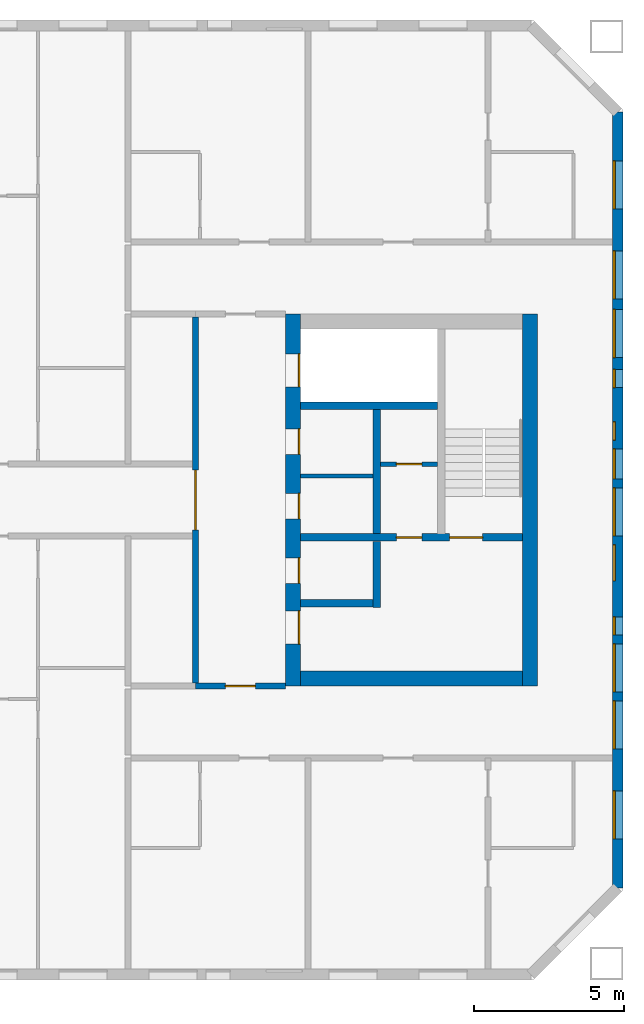
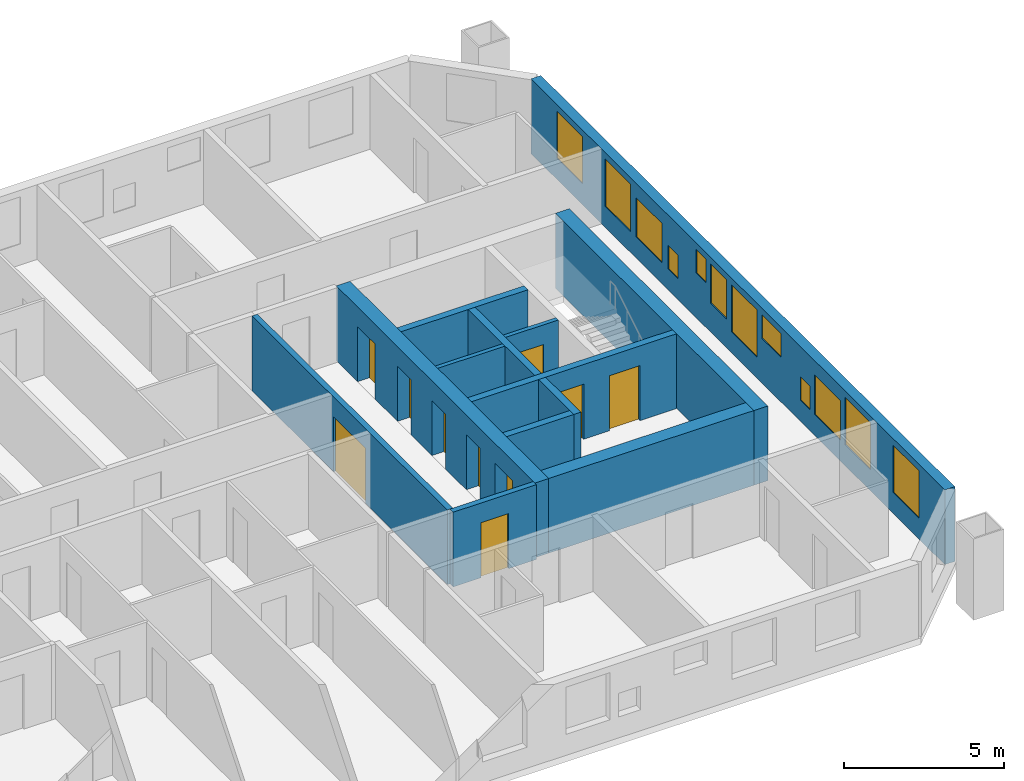
# One storey, part 13 of 16: 13 walls, 12 windows, 10 doors, 22 openings.
"""IFC4 building model written with IfcOpenShell, lengths in metres."""

from ifc_helpers import new_model, si_unit, direction, frame, frame_2d, origin, place, context, subcontext, project, spatial, rectangle, extrude, material, layer, layer_set, type_object, element, fill, save


model = new_model("IFC4")

# Units and contexts
model_context = context("Model", 3, precision=1e-05, world=origin(), true_north=direction((0.0, 1.0)))
body_context = subcontext(model_context, "Body", "Model", "MODEL_VIEW")
ifc_project = project(units=[si_unit("LENGTHUNIT", "METRE"), si_unit("AREAUNIT", "SQUARE_METRE"), si_unit("VOLUMEUNIT", "CUBIC_METRE"), si_unit("PLANEANGLEUNIT", "RADIAN"), si_unit("MASSUNIT", "GRAM", prefix="KILO")], contexts=[model_context])

# Site, building, storey
site_placement = place(None, origin())
site = spatial("IfcSite", under=ifc_project, at=site_placement, CompositionType="ELEMENT")
building_placement = place(site_placement, origin())
building = spatial("IfcBuilding", under=site, at=building_placement, Name="Tuart Gate Housing", CompositionType="ELEMENT")
storey_placement = place(building_placement, frame((0.0, 0.0, 157.800048828125)))
storey = spatial("IfcBuildingStorey", under=building, at=storey_placement, Name="L44", CompositionType="ELEMENT", Elevation=157.800048828125)

# Wall, openings, windows
ifc_material_1 = material(Name="Brick", Category="masonry")
ifc_layer_1 = layer(ifc_material_1, 0.360107421875)
ifc_layer_set_1 = layer_set([ifc_layer_1], Name="Brick pier and spandrel wall 360")
wall_type_1 = type_object("IfcWallType", Name="Brick pier and spandrel wall 360", PredefinedType="STANDARD", material=ifc_layer_set_1)
wall_1_placement = place(storey_placement, frame((171.320068359375, 57.07470703125, 0.0), z_axis=(0.0, 0.0, 1.0), x_axis=(0.0, 1.0, 0.0)))
wall_1 = element("IfcWall", 1, at=wall_1_placement, inside=storey, type_object=wall_type_1, Name="External wall B-E L44", PredefinedType="STANDARD", context=body_context, shape_type="SweptSolid", body=[
    extrude(rectangle(XDim=25.850830078125, YDim=0.360107421875, at=frame_2d((12.92529296875, 0.0))), origin(), (0.0, 0.0, 1.0), 2.849853515625),
])
opening_1_placement = place(wall_1_placement, frame((1.62548828125, 0.0, 0.800048828125)))
opening_1 = element("IfcOpeningElement", 2, at=opening_1_placement, cuts=wall_1, Name="Opening W1", PredefinedType="OPENING", context=body_context, shape_type="SweptSolid", body=[
    extrude(rectangle(XDim=1.60009765625, YDim=1.800048828125, at=frame_2d((0.800048828125, 0.89990234375))), frame((0.0, 0.18994140625, 0.0), z_axis=(0.0, -1.0, 0.0), x_axis=(1.0, 0.0, 0.0)), (0.0, 0.0, 1.0), 0.380126953125),
])
opening_2_placement = place(wall_1_placement, frame((4.62548828125, 0.0, 0.800048828125)))
opening_2 = element("IfcOpeningElement", 3, at=opening_2_placement, cuts=wall_1, Name="Opening W1", PredefinedType="OPENING", context=body_context, shape_type="SweptSolid", body=[
    extrude(rectangle(XDim=1.60009765625, YDim=1.800048828125, at=frame_2d((0.800048828125, 0.89990234375))), frame((0.0, 0.18994140625, 0.0), z_axis=(0.0, -1.0, 0.0), x_axis=(1.0, 0.0, 0.0)), (0.0, 0.0, 1.0), 0.380126953125),
])
opening_3_placement = place(wall_1_placement, frame((6.525390625, 0.0, 0.800048828125)))
opening_3 = element("IfcOpeningElement", 4, at=opening_3_placement, cuts=wall_1, Name="Opening W1F", PredefinedType="OPENING", context=body_context, shape_type="SweptSolid", body=[
    extrude(rectangle(XDim=1.60009765625, YDim=1.5, at=frame_2d((0.800048828125, 0.75))), frame((0.0, 0.18994140625, 0.0), z_axis=(0.0, -1.0, 0.0), x_axis=(1.0, 0.0, 0.0)), (0.0, 0.0, 1.0), 0.380126953125),
])
opening_4_placement = place(wall_1_placement, frame((8.42529296875, 0.0, 0.800048828125)))
opening_4 = element("IfcOpeningElement", 5, at=opening_4_placement, cuts=wall_1, Name="Opening W1W", PredefinedType="OPENING", context=body_context, shape_type="SweptSolid", body=[
    extrude(rectangle(XDim=0.60009765625, YDim=0.89990234375, at=frame_2d((0.300048828125, 0.449951171875))), frame((0.0, 0.18994140625, 0.0), z_axis=(0.0, -1.0, 0.0), x_axis=(1.0, 0.0, 0.0)), (0.0, 0.0, 1.0), 0.380126953125),
])
opening_5_placement = place(wall_1_placement, frame((10.225341796875, 0.0, 1.699951171875)))
opening_5 = element("IfcOpeningElement", 6, at=opening_5_placement, cuts=wall_1, Name="Opening W1T", PredefinedType="OPENING", context=body_context, shape_type="SweptSolid", body=[
    extrude(rectangle(XDim=1.199951171875, YDim=0.89990234375, at=frame_2d((0.60009765625, 0.449951171875))), frame((0.0, 0.18994140625, 0.0), z_axis=(0.0, -1.0, 0.0), x_axis=(1.0, 0.0, 0.0)), (0.0, 0.0, 1.0), 0.380126953125),
])
opening_6_placement = place(wall_1_placement, frame((11.725341796875, 0.0, 0.800048828125)))
opening_6 = element("IfcOpeningElement", 7, at=opening_6_placement, cuts=wall_1, Name="Opening W1", PredefinedType="OPENING", context=body_context, shape_type="SweptSolid", body=[
    extrude(rectangle(XDim=1.60009765625, YDim=1.800048828125, at=frame_2d((0.800048828125, 0.89990234375))), frame((0.0, 0.18994140625, 0.0), z_axis=(0.0, -1.0, 0.0), x_axis=(1.0, 0.0, 0.0)), (0.0, 0.0, 1.0), 0.380126953125),
])
opening_7_placement = place(wall_1_placement, frame((19.62548828125, 0.0, 0.800048828125)))
opening_7 = element("IfcOpeningElement", 8, at=opening_7_placement, cuts=wall_1, Name="Opening W1", PredefinedType="OPENING", context=body_context, shape_type="SweptSolid", body=[
    extrude(rectangle(XDim=1.60009765625, YDim=1.800048828125, at=frame_2d((0.800048828125, 0.89990234375))), frame((0.0, 0.18994140625, 0.0), z_axis=(0.0, -1.0, 0.0), x_axis=(1.0, 0.0, 0.0)), (0.0, 0.0, 1.0), 0.380126953125),
])
opening_8_placement = place(wall_1_placement, frame((22.62548828125, 0.0, 0.800048828125)))
opening_8 = element("IfcOpeningElement", 9, at=opening_8_placement, cuts=wall_1, Name="Opening W1", PredefinedType="OPENING", context=body_context, shape_type="SweptSolid", body=[
    extrude(rectangle(XDim=1.60009765625, YDim=1.800048828125, at=frame_2d((0.800048828125, 0.89990234375))), frame((0.0, 0.18994140625, 0.0), z_axis=(0.0, -1.0, 0.0), x_axis=(1.0, 0.0, 0.0)), (0.0, 0.0, 1.0), 0.380126953125),
])
opening_9_placement = place(wall_1_placement, frame((13.62548828125, 0.0, 1.10009765625)))
opening_9 = element("IfcOpeningElement", 10, at=opening_9_placement, cuts=wall_1, Name="Opening W1I", PredefinedType="OPENING", context=body_context, shape_type="SweptSolid", body=[
    extrude(rectangle(XDim=1.0, YDim=1.5, at=frame_2d((0.5, 0.75))), frame((0.0, 0.18994140625, 0.0), z_axis=(0.0, -1.0, 0.0), x_axis=(1.0, 0.0, 0.0)), (0.0, 0.0, 1.0), 0.380126953125),
])
opening_10_placement = place(wall_1_placement, frame((14.92529296875, 0.0, 1.699951171875)))
opening_10 = element("IfcOpeningElement", 11, at=opening_10_placement, cuts=wall_1, Name="Opening W1W", PredefinedType="OPENING", context=body_context, shape_type="SweptSolid", body=[
    extrude(rectangle(XDim=0.60009765625, YDim=0.89990234375, at=frame_2d((0.300048828125, 0.449951171875))), frame((0.0, 0.18994140625, 0.0), z_axis=(0.0, -1.0, 0.0), x_axis=(1.0, 0.0, 0.0)), (0.0, 0.0, 1.0), 0.380126953125),
])
opening_11_placement = place(wall_1_placement, frame((16.67529296875, 0.0, 0.800048828125)))
opening_11 = element("IfcOpeningElement", 12, at=opening_11_placement, cuts=wall_1, Name="Opening W1W", PredefinedType="OPENING", context=body_context, shape_type="SweptSolid", body=[
    extrude(rectangle(XDim=0.60009765625, YDim=0.89990234375, at=frame_2d((0.300048828125, 0.449951171875))), frame((0.0, 0.18994140625, 0.0), z_axis=(0.0, -1.0, 0.0), x_axis=(1.0, 0.0, 0.0)), (0.0, 0.0, 1.0), 0.380126953125),
])
opening_12_placement = place(wall_1_placement, frame((17.67529296875, 0.0, 0.800048828125)))
opening_12 = element("IfcOpeningElement", 13, at=opening_12_placement, cuts=wall_1, Name="Opening W1F", PredefinedType="OPENING", context=body_context, shape_type="SweptSolid", body=[
    extrude(rectangle(XDim=1.60009765625, YDim=1.5, at=frame_2d((0.800048828125, 0.75))), frame((0.0, 0.18994140625, 0.0), z_axis=(0.0, -1.0, 0.0), x_axis=(1.0, 0.0, 0.0)), (0.0, 0.0, 1.0), 0.380126953125),
])
ifc_material_2 = material(Name="Aluminium frame with clear glass", Category="aluminium")
window_type_1 = type_object("IfcWindowType", Name="Punched window 1000 x 1500", PartitioningType="SINGLE_PANEL", PredefinedType="WINDOW", material=ifc_material_2)
window_1_placement = place(opening_9_placement, origin())
window_1 = element("IfcWindow", 14, at=window_1_placement, inside=storey, type_object=window_type_1, Name="Window W1I", OverallHeight=1.5, OverallWidth=1.0, PartitioningType="SINGLE_PANEL", PredefinedType="WINDOW", context=body_context, shape_type="SweptSolid", body=[
    extrude(rectangle(XDim=1.0, YDim=1.5, at=frame_2d((0.5, 0.75))), frame((0.0, 0.150146484375, 0.0), z_axis=(0.0, -1.0, 0.0), x_axis=(1.0, 0.0, 0.0)), (0.0, 0.0, 1.0), 0.06005859375),
])
fill(opening_9, window_1)
ifc_material_3 = material(Name="Aluminium frame with clear glass", Category="aluminium")
window_type_2 = type_object("IfcWindowType", Name="Punched window 1200 x 900", PartitioningType="SINGLE_PANEL", PredefinedType="WINDOW", material=ifc_material_3)
window_2_placement = place(opening_5_placement, origin())
window_2 = element("IfcWindow", 15, at=window_2_placement, inside=storey, type_object=window_type_2, Name="Window W1T", OverallHeight=0.89990234375, OverallWidth=1.199951171875, PartitioningType="SINGLE_PANEL", PredefinedType="WINDOW", context=body_context, shape_type="SweptSolid", body=[
    extrude(rectangle(XDim=1.199951171875, YDim=0.89990234375, at=frame_2d((0.60009765625, 0.449951171875))), frame((0.0, 0.150146484375, 0.0), z_axis=(0.0, -1.0, 0.0), x_axis=(1.0, 0.0, 0.0)), (0.0, 0.0, 1.0), 0.06005859375),
])
fill(opening_5, window_2)
ifc_material_4 = material(Name="Aluminium frame with clear glass", Category="aluminium")
window_type_3 = type_object("IfcWindowType", Name="Punched window 1600 x 1500", PartitioningType="SINGLE_PANEL", PredefinedType="WINDOW", material=ifc_material_4)
window_3_placement = place(opening_3_placement, origin())
window_3 = element("IfcWindow", 16, at=window_3_placement, inside=storey, type_object=window_type_3, Name="Window W1F", OverallHeight=1.5, OverallWidth=1.60009765625, PartitioningType="SINGLE_PANEL", PredefinedType="WINDOW", context=body_context, shape_type="SweptSolid", body=[
    extrude(rectangle(XDim=1.60009765625, YDim=1.5, at=frame_2d((0.800048828125, 0.75))), frame((0.0, 0.150146484375, 0.0), z_axis=(0.0, -1.0, 0.0), x_axis=(1.0, 0.0, 0.0)), (0.0, 0.0, 1.0), 0.06005859375),
])
fill(opening_3, window_3)
window_4_placement = place(opening_12_placement, origin())
window_4 = element("IfcWindow", 17, at=window_4_placement, inside=storey, type_object=window_type_3, Name="Window W1F", OverallHeight=1.5, OverallWidth=1.60009765625, PartitioningType="SINGLE_PANEL", PredefinedType="WINDOW", context=body_context, shape_type="SweptSolid", body=[
    extrude(rectangle(XDim=1.60009765625, YDim=1.5, at=frame_2d((0.800048828125, 0.75))), frame((0.0, 0.150146484375, 0.0), z_axis=(0.0, -1.0, 0.0), x_axis=(1.0, 0.0, 0.0)), (0.0, 0.0, 1.0), 0.06005859375),
])
fill(opening_12, window_4)
ifc_material_5 = material(Name="Aluminium frame with clear glass", Category="aluminium")
window_type_4 = type_object("IfcWindowType", Name="Punched window 1600 x 1800", PartitioningType="SINGLE_PANEL", PredefinedType="WINDOW", material=ifc_material_5)
window_5_placement = place(opening_1_placement, origin())
window_5 = element("IfcWindow", 18, at=window_5_placement, inside=storey, type_object=window_type_4, Name="Window W1", OverallHeight=1.800048828125, OverallWidth=1.60009765625, PartitioningType="SINGLE_PANEL", PredefinedType="WINDOW", context=body_context, shape_type="SweptSolid", body=[
    extrude(rectangle(XDim=1.60009765625, YDim=1.800048828125, at=frame_2d((0.800048828125, 0.89990234375))), frame((0.0, 0.150146484375, 0.0), z_axis=(0.0, -1.0, 0.0), x_axis=(1.0, 0.0, 0.0)), (0.0, 0.0, 1.0), 0.06005859375),
])
fill(opening_1, window_5)
window_6_placement = place(opening_2_placement, origin())
window_6 = element("IfcWindow", 19, at=window_6_placement, inside=storey, type_object=window_type_4, Name="Window W1", OverallHeight=1.800048828125, OverallWidth=1.60009765625, PartitioningType="SINGLE_PANEL", PredefinedType="WINDOW", context=body_context, shape_type="SweptSolid", body=[
    extrude(rectangle(XDim=1.60009765625, YDim=1.800048828125, at=frame_2d((0.800048828125, 0.89990234375))), frame((0.0, 0.150146484375, 0.0), z_axis=(0.0, -1.0, 0.0), x_axis=(1.0, 0.0, 0.0)), (0.0, 0.0, 1.0), 0.06005859375),
])
fill(opening_2, window_6)
window_7_placement = place(opening_6_placement, origin())
window_7 = element("IfcWindow", 20, at=window_7_placement, inside=storey, type_object=window_type_4, Name="Window W1", OverallHeight=1.800048828125, OverallWidth=1.60009765625, PartitioningType="SINGLE_PANEL", PredefinedType="WINDOW", context=body_context, shape_type="SweptSolid", body=[
    extrude(rectangle(XDim=1.60009765625, YDim=1.800048828125, at=frame_2d((0.800048828125, 0.89990234375))), frame((0.0, 0.150146484375, 0.0), z_axis=(0.0, -1.0, 0.0), x_axis=(1.0, 0.0, 0.0)), (0.0, 0.0, 1.0), 0.06005859375),
])
fill(opening_6, window_7)
window_8_placement = place(opening_7_placement, origin())
window_8 = element("IfcWindow", 21, at=window_8_placement, inside=storey, type_object=window_type_4, Name="Window W1", OverallHeight=1.800048828125, OverallWidth=1.60009765625, PartitioningType="SINGLE_PANEL", PredefinedType="WINDOW", context=body_context, shape_type="SweptSolid", body=[
    extrude(rectangle(XDim=1.60009765625, YDim=1.800048828125, at=frame_2d((0.800048828125, 0.89990234375))), frame((0.0, 0.150146484375, 0.0), z_axis=(0.0, -1.0, 0.0), x_axis=(1.0, 0.0, 0.0)), (0.0, 0.0, 1.0), 0.06005859375),
])
fill(opening_7, window_8)
window_9_placement = place(opening_8_placement, origin())
window_9 = element("IfcWindow", 22, at=window_9_placement, inside=storey, type_object=window_type_4, Name="Window W1", OverallHeight=1.800048828125, OverallWidth=1.60009765625, PartitioningType="SINGLE_PANEL", PredefinedType="WINDOW", context=body_context, shape_type="SweptSolid", body=[
    extrude(rectangle(XDim=1.60009765625, YDim=1.800048828125, at=frame_2d((0.800048828125, 0.89990234375))), frame((0.0, 0.150146484375, 0.0), z_axis=(0.0, -1.0, 0.0), x_axis=(1.0, 0.0, 0.0)), (0.0, 0.0, 1.0), 0.06005859375),
])
fill(opening_8, window_9)
ifc_material_6 = material(Name="Aluminium frame with clear glass", Category="aluminium")
window_type_5 = type_object("IfcWindowType", Name="Punched window 600 x 900", PartitioningType="SINGLE_PANEL", PredefinedType="WINDOW", material=ifc_material_6)
window_10_placement = place(opening_4_placement, origin())
window_10 = element("IfcWindow", 23, at=window_10_placement, inside=storey, type_object=window_type_5, Name="Window W1W", OverallHeight=0.89990234375, OverallWidth=0.60009765625, PartitioningType="SINGLE_PANEL", PredefinedType="WINDOW", context=body_context, shape_type="SweptSolid", body=[
    extrude(rectangle(XDim=0.60009765625, YDim=0.89990234375, at=frame_2d((0.300048828125, 0.449951171875))), frame((0.0, 0.150146484375, 0.0), z_axis=(0.0, -1.0, 0.0), x_axis=(1.0, 0.0, 0.0)), (0.0, 0.0, 1.0), 0.06005859375),
])
fill(opening_4, window_10)
window_11_placement = place(opening_10_placement, origin())
window_11 = element("IfcWindow", 24, at=window_11_placement, inside=storey, type_object=window_type_5, Name="Window W1W", OverallHeight=0.89990234375, OverallWidth=0.60009765625, PartitioningType="SINGLE_PANEL", PredefinedType="WINDOW", context=body_context, shape_type="SweptSolid", body=[
    extrude(rectangle(XDim=0.60009765625, YDim=0.89990234375, at=frame_2d((0.300048828125, 0.449951171875))), frame((0.0, 0.150146484375, 0.0), z_axis=(0.0, -1.0, 0.0), x_axis=(1.0, 0.0, 0.0)), (0.0, 0.0, 1.0), 0.06005859375),
])
fill(opening_10, window_11)
window_12_placement = place(opening_11_placement, origin())
window_12 = element("IfcWindow", 25, at=window_12_placement, inside=storey, type_object=window_type_5, Name="Window W1W", OverallHeight=0.89990234375, OverallWidth=0.60009765625, PartitioningType="SINGLE_PANEL", PredefinedType="WINDOW", context=body_context, shape_type="SweptSolid", body=[
    extrude(rectangle(XDim=0.60009765625, YDim=0.89990234375, at=frame_2d((0.300048828125, 0.449951171875))), frame((0.0, 0.150146484375, 0.0), z_axis=(0.0, -1.0, 0.0), x_axis=(1.0, 0.0, 0.0)), (0.0, 0.0, 1.0), 0.06005859375),
])
fill(opening_11, window_12)

# Wall, opening, door
ifc_material_7 = material(Name="Plasterboard partition")
ifc_layer_2 = layer(ifc_material_7, 0.14990234375)
ifc_layer_set_2 = layer_set([ifc_layer_2], Name="Core partition 150")
wall_type_2 = type_object("IfcWallType", Name="Core partition 150", PredefinedType="PARTITIONING", material=ifc_layer_set_2)
wall_2_placement = place(storey_placement, frame((163.4150390625, 71.199951171875, 0.0), z_axis=(0.0, 0.0, 1.0), x_axis=(1.0, 0.0, 0.0)))
wall_2 = element("IfcWall", 26, at=wall_2_placement, inside=storey, type_object=wall_type_2, Name="Core partition BK.2", PredefinedType="PARTITIONING", context=body_context, shape_type="SweptSolid", body=[
    extrude(rectangle(XDim=1.89990234375, YDim=0.14990234375, at=frame_2d((0.949951171875, 0.0))), origin(), (0.0, 0.0, 1.0), 2.849853515625),
])
opening_13_placement = place(wall_2_placement, frame((0.52490234375, 0.0, 0.0)))
opening_13 = element("IfcOpeningElement", 27, at=opening_13_placement, cuts=wall_2, Name="Opening D1703", PredefinedType="OPENING", context=body_context, shape_type="SweptSolid", body=[
    extrude(rectangle(XDim=0.85009765625, YDim=2.10009765625, at=frame_2d((0.425048828125, 1.050048828125))), frame((0.0, 0.0849609375, 0.0), z_axis=(0.0, -1.0, 0.0), x_axis=(1.0, 0.0, 0.0)), (0.0, 0.0, 1.0), 0.169921875),
])
ifc_material_8 = material(Name="Steel fire door", Category="steel")
door_type_1 = type_object("IfcDoorType", Name="Service door 850 x 2100 RH", OperationType="SINGLE_SWING_RIGHT", PredefinedType="DOOR", material=ifc_material_8)
door_1_placement = place(opening_13_placement, frame((0.85009765625, 0.0, 0.0), z_axis=(0.0, 0.0, 1.0), x_axis=(-1.0, 0.0, 0.0)))
door_1 = element("IfcDoor", 28, at=door_1_placement, inside=storey, type_object=door_type_1, Name="Service room door BK.W2", OperationType="SINGLE_SWING_RIGHT", OverallHeight=2.10009765625, OverallWidth=0.85009765625, PredefinedType="DOOR", context=body_context, shape_type="SweptSolid", body=[
    extrude(rectangle(XDim=0.85009765625, YDim=2.10009765625, at=frame_2d((0.425048828125, 1.050048828125))), frame((0.0, 0.025146484375, 0.0), z_axis=(0.0, -1.0, 0.0), x_axis=(1.0, 0.0, 0.0)), (0.0, 0.0, 1.0), 0.050048828125),
])
fill(opening_13, door_1)

# Walls
wall_3_placement = place(storey_placement, frame((160.739990234375, 70.800048828125, 0.0), z_axis=(0.0, 0.0, 1.0), x_axis=(1.0, 0.0, 0.0)))
element("IfcWall", 29, at=wall_3_placement, inside=storey, type_object=wall_type_2, Name="Core partition BK.3", PredefinedType="PARTITIONING", context=body_context, shape_type="SweptSolid", body=[
    extrude(rectangle(XDim=2.425048828125, YDim=0.14990234375, at=frame_2d((1.21240234375, 0.0))), origin(), (0.0, 0.0, 1.0), 2.849853515625),
])
ifc_material_9 = material(Name="Concrete C40", Category="concrete")
ifc_layer_3 = layer(ifc_material_9, 0.25)
ifc_layer_set_3 = layer_set([ifc_layer_3], Name="Core wall 250 C40")
wall_type_3 = type_object("IfcWallType", Name="Core wall 250 C40", PredefinedType="SHEAR", material=ifc_layer_set_3)
wall_4_placement = place(storey_placement, frame((160.739990234375, 73.14990234375, 0.0), z_axis=(0.0, 0.0, 1.0), x_axis=(1.0, 0.0, 0.0)))
element("IfcWall", 30, at=wall_4_placement, inside=storey, type_object=wall_type_3, Name="Core wall BK.1", PredefinedType="SHEAR", context=body_context, shape_type="SweptSolid", body=[
    extrude(rectangle(XDim=4.574951171875, YDim=0.25, at=frame_2d((2.28759765625, 0.0))), origin(), (0.0, 0.0, 1.0), 2.849853515625),
])

# Wall, openings, doors
wall_5_placement = place(storey_placement, frame((160.739990234375, 68.75, 0.0), z_axis=(0.0, 0.0, 1.0), x_axis=(1.0, 0.0, 0.0)))
wall_5 = element("IfcWall", 31, at=wall_5_placement, inside=storey, type_object=wall_type_3, Name="Core wall BK.4", PredefinedType="SHEAR", context=body_context, shape_type="SweptSolid", body=[
    extrude(rectangle(XDim=7.39990234375, YDim=0.25, at=frame_2d((3.699951171875, 0.0))), origin(), (0.0, 0.0, 1.0), 2.849853515625),
])
opening_14_placement = place(wall_5_placement, frame((4.97509765625, 0.0, 0.0)))
opening_14 = element("IfcOpeningElement", 32, at=opening_14_placement, cuts=wall_5, Name="Opening D1715", PredefinedType="OPENING", context=body_context, shape_type="SweptSolid", body=[
    extrude(rectangle(XDim=1.10009765625, YDim=2.10009765625, at=frame_2d((0.550048828125, 1.050048828125))), frame((0.0, 0.135009765625, 0.0), z_axis=(0.0, -1.0, 0.0), x_axis=(1.0, 0.0, 0.0)), (0.0, 0.0, 1.0), 0.27001953125),
])
opening_15_placement = place(wall_5_placement, frame((3.199951171875, 0.0, 0.0)))
opening_15 = element("IfcOpeningElement", 33, at=opening_15_placement, cuts=wall_5, Name="Opening D1714", PredefinedType="OPENING", context=body_context, shape_type="SweptSolid", body=[
    extrude(rectangle(XDim=0.85009765625, YDim=2.10009765625, at=frame_2d((0.425048828125, 1.050048828125))), frame((0.0, 0.135009765625, 0.0), z_axis=(0.0, -1.0, 0.0), x_axis=(1.0, 0.0, 0.0)), (0.0, 0.0, 1.0), 0.27001953125),
])
ifc_material_10 = material(Name="Steel fire door", Category="steel")
door_type_2 = type_object("IfcDoorType", Name="Riser door 850 x 2100", OperationType="SINGLE_SWING_LEFT", PredefinedType="DOOR", material=ifc_material_10)
door_2_placement = place(opening_15_placement, origin())
door_2 = element("IfcDoor", 34, at=door_2_placement, inside=storey, type_object=door_type_2, Name="Service room door BK.W1", OperationType="SINGLE_SWING_LEFT", OverallHeight=2.10009765625, OverallWidth=0.85009765625, PredefinedType="DOOR", context=body_context, shape_type="SweptSolid", body=[
    extrude(rectangle(XDim=0.85009765625, YDim=2.10009765625, at=frame_2d((0.425048828125, 1.050048828125))), frame((0.0, 0.02490234375, 0.0), z_axis=(0.0, -1.0, 0.0), x_axis=(1.0, 0.0, 0.0)), (0.0, 0.0, 1.0), 0.050048828125),
])
fill(opening_15, door_2)
ifc_material_11 = material(Name="Steel fire door", Category="steel")
door_type_3 = type_object("IfcDoorType", Name="Stair door 1100 x 2100", OperationType="SINGLE_SWING_LEFT", PredefinedType="DOOR", material=ifc_material_11)
door_3_placement = place(opening_14_placement, origin())
door_3 = element("IfcDoor", 35, at=door_3_placement, inside=storey, type_object=door_type_3, Name="Stair door BK.SD", OperationType="SINGLE_SWING_LEFT", OverallHeight=2.10009765625, OverallWidth=1.10009765625, PredefinedType="DOOR", context=body_context, shape_type="SweptSolid", body=[
    extrude(rectangle(XDim=1.10009765625, YDim=2.10009765625, at=frame_2d((0.550048828125, 1.050048828125))), frame((0.0, 0.02490234375, 0.0), z_axis=(0.0, -1.0, 0.0), x_axis=(1.0, 0.0, 0.0)), (0.0, 0.0, 1.0), 0.050048828125),
])
fill(opening_14, door_3)

# Walls
wall_6_placement = place(storey_placement, frame((160.739990234375, 66.550048828125, 0.0), z_axis=(0.0, 0.0, 1.0), x_axis=(1.0, 0.0, 0.0)))
element("IfcWall", 36, at=wall_6_placement, inside=storey, type_object=wall_type_3, Name="Core wall BK.5", PredefinedType="SHEAR", context=body_context, shape_type="SweptSolid", body=[
    extrude(rectangle(XDim=2.425048828125, YDim=0.25, at=frame_2d((1.21240234375, 0.0))), origin(), (0.0, 0.0, 1.0), 2.849853515625),
])
wall_7_placement = place(storey_placement, frame((163.2900390625, 73.02490234375, 0.0), z_axis=(0.0, 0.0, 1.0), x_axis=(0.0, -1.0, 0.0)))
element("IfcWall", 37, at=wall_7_placement, inside=storey, type_object=wall_type_3, Name="Core wall BK.6", PredefinedType="SHEAR", context=body_context, shape_type="SweptSolid", body=[
    extrude(rectangle(XDim=4.14990234375, YDim=0.25, at=frame_2d((2.074951171875, 0.0))), origin(), (0.0, 0.0, 1.0), 2.849853515625),
])
wall_8_placement = place(storey_placement, frame((163.2900390625, 68.625, 0.0), z_axis=(0.0, 0.0, 1.0), x_axis=(0.0, -1.0, 0.0)))
element("IfcWall", 38, at=wall_8_placement, inside=storey, type_object=wall_type_3, Name="Core wall BK.7", PredefinedType="SHEAR", context=body_context, shape_type="SweptSolid", body=[
    extrude(rectangle(XDim=2.199951171875, YDim=0.25, at=frame_2d((1.10009765625, 0.0))), origin(), (0.0, 0.0, 1.0), 2.849853515625),
])

# Wall, openings, doors
ifc_material_12 = material(Name="Concrete C40", Category="concrete")
ifc_layer_4 = layer(ifc_material_12, 0.5)
ifc_layer_set_4 = layer_set([ifc_layer_4], Name="Core wall 500 C40")
wall_type_4 = type_object("IfcWallType", Name="Core wall 500 C40", PredefinedType="SHEAR", material=ifc_layer_set_4)
wall_9_placement = place(storey_placement, frame((160.489990234375, 76.199951171875, 0.0), z_axis=(0.0, 0.0, 1.0), x_axis=(0.0, -1.0, 0.0)))
wall_9 = element("IfcWall", 39, at=wall_9_placement, inside=storey, type_object=wall_type_4, Name="Core wall BK front", PredefinedType="SHEAR", context=body_context, shape_type="SweptSolid", body=[
    extrude(rectangle(XDim=12.39990234375, YDim=0.5, at=frame_2d((6.199951171875, 0.0))), origin(), (0.0, 0.0, 1.0), 2.849853515625),
])
opening_16_placement = place(wall_9_placement, frame((1.324951171875, 0.0, 0.0)))
opening_16 = element("IfcOpeningElement", 40, at=opening_16_placement, cuts=wall_9, Name="Opening LD-FB2", PredefinedType="OPENING", context=body_context, shape_type="SweptSolid", body=[
    extrude(rectangle(XDim=1.10009765625, YDim=2.10009765625, at=frame_2d((0.550048828125, 1.050048828125))), frame((0.0, 0.260009765625, 0.0), z_axis=(0.0, -1.0, 0.0), x_axis=(1.0, 0.0, 0.0)), (0.0, 0.0, 1.0), 0.52001953125),
])
opening_17_placement = place(wall_9_placement, frame((3.824951171875, 0.0, 0.0)))
opening_17 = element("IfcOpeningElement", 41, at=opening_17_placement, cuts=wall_9, Name="Opening D1709", PredefinedType="OPENING", context=body_context, shape_type="SweptSolid", body=[
    extrude(rectangle(XDim=0.85009765625, YDim=2.10009765625, at=frame_2d((0.425048828125, 1.050048828125))), frame((0.0, 0.260009765625, 0.0), z_axis=(0.0, -1.0, 0.0), x_axis=(1.0, 0.0, 0.0)), (0.0, 0.0, 1.0), 0.52001953125),
])
opening_18_placement = place(wall_9_placement, frame((5.97509765625, 0.0, 0.0)))
opening_18 = element("IfcOpeningElement", 42, at=opening_18_placement, cuts=wall_9, Name="Opening D1710", PredefinedType="OPENING", context=body_context, shape_type="SweptSolid", body=[
    extrude(rectangle(XDim=0.85009765625, YDim=2.10009765625, at=frame_2d((0.425048828125, 1.050048828125))), frame((0.0, 0.260009765625, 0.0), z_axis=(0.0, -1.0, 0.0), x_axis=(1.0, 0.0, 0.0)), (0.0, 0.0, 1.0), 0.52001953125),
])
opening_19_placement = place(wall_9_placement, frame((9.89990234375, 0.0, 0.0)))
opening_19 = element("IfcOpeningElement", 43, at=opening_19_placement, cuts=wall_9, Name="Opening D1708", PredefinedType="OPENING", context=body_context, shape_type="SweptSolid", body=[
    extrude(rectangle(XDim=1.10009765625, YDim=2.10009765625, at=frame_2d((0.550048828125, 1.050048828125))), frame((0.0, 0.260009765625, 0.0), z_axis=(0.0, -1.0, 0.0), x_axis=(1.0, 0.0, 0.0)), (0.0, 0.0, 1.0), 0.52001953125),
])
opening_20_placement = place(wall_9_placement, frame((8.125, 0.0, 0.0)))
opening_20 = element("IfcOpeningElement", 44, at=opening_20_placement, cuts=wall_9, Name="Opening D1711", PredefinedType="OPENING", context=body_context, shape_type="SweptSolid", body=[
    extrude(rectangle(XDim=0.85009765625, YDim=2.10009765625, at=frame_2d((0.425048828125, 1.050048828125))), frame((0.0, 0.260009765625, 0.0), z_axis=(0.0, -1.0, 0.0), x_axis=(1.0, 0.0, 0.0)), (0.0, 0.0, 1.0), 0.52001953125),
])
ifc_material_13 = material(Name="Stainless steel", Category="steel")
door_type_4 = type_object("IfcDoorType", Name="Landing door 1100 x 2100", OperationType="DOUBLE_DOOR_SLIDING", PredefinedType="DOOR", material=ifc_material_13)
door_4_placement = place(opening_16_placement, origin())
door_4 = element("IfcDoor", 45, at=door_4_placement, inside=storey, type_object=door_type_4, Name="Lift landing door FB2", OperationType="DOUBLE_DOOR_SLIDING", OverallHeight=2.10009765625, OverallWidth=1.10009765625, PredefinedType="DOOR", context=body_context, shape_type="SweptSolid", body=[
    extrude(rectangle(XDim=1.10009765625, YDim=2.10009765625, at=frame_2d((0.550048828125, 1.050048828125))), frame((0.0, 0.23486328125, 0.0), z_axis=(0.0, -1.0, 0.0), x_axis=(1.0, 0.0, 0.0)), (0.0, 0.0, 1.0), 0.050048828125),
])
fill(opening_16, door_4)
ifc_material_14 = material(Name="Steel fire door", Category="steel")
door_type_5 = type_object("IfcDoorType", Name="Lobby door 1100 x 2100", OperationType="SINGLE_SWING_LEFT", PredefinedType="DOOR", material=ifc_material_14)
door_5_placement = place(opening_19_placement, origin())
door_5 = element("IfcDoor", 46, at=door_5_placement, inside=storey, type_object=door_type_5, Name="Lobby entry door BK.EN", OperationType="SINGLE_SWING_LEFT", OverallHeight=2.10009765625, OverallWidth=1.10009765625, PredefinedType="DOOR", context=body_context, shape_type="SweptSolid", body=[
    extrude(rectangle(XDim=1.10009765625, YDim=2.10009765625, at=frame_2d((0.550048828125, 1.050048828125))), frame((0.0, 0.23486328125, 0.0), z_axis=(0.0, -1.0, 0.0), x_axis=(1.0, 0.0, 0.0)), (0.0, 0.0, 1.0), 0.050048828125),
])
fill(opening_19, door_5)
ifc_material_15 = material(Name="Steel fire door", Category="steel")
door_type_6 = type_object("IfcDoorType", Name="Service door 850 x 2100", OperationType="SINGLE_SWING_LEFT", PredefinedType="DOOR", material=ifc_material_15)
door_6_placement = place(opening_17_placement, origin())
door_6 = element("IfcDoor", 47, at=door_6_placement, inside=storey, type_object=door_type_6, Name="Service room door BK.FR1", OperationType="SINGLE_SWING_LEFT", OverallHeight=2.10009765625, OverallWidth=0.85009765625, PredefinedType="DOOR", context=body_context, shape_type="SweptSolid", body=[
    extrude(rectangle(XDim=0.85009765625, YDim=2.10009765625, at=frame_2d((0.425048828125, 1.050048828125))), frame((0.0, 0.23486328125, 0.0), z_axis=(0.0, -1.0, 0.0), x_axis=(1.0, 0.0, 0.0)), (0.0, 0.0, 1.0), 0.050048828125),
])
fill(opening_17, door_6)
door_7_placement = place(opening_18_placement, origin())
door_7 = element("IfcDoor", 48, at=door_7_placement, inside=storey, type_object=door_type_6, Name="Service room door BK.FR2", OperationType="SINGLE_SWING_LEFT", OverallHeight=2.10009765625, OverallWidth=0.85009765625, PredefinedType="DOOR", context=body_context, shape_type="SweptSolid", body=[
    extrude(rectangle(XDim=0.85009765625, YDim=2.10009765625, at=frame_2d((0.425048828125, 1.050048828125))), frame((0.0, 0.23486328125, 0.0), z_axis=(0.0, -1.0, 0.0), x_axis=(1.0, 0.0, 0.0)), (0.0, 0.0, 1.0), 0.050048828125),
])
fill(opening_18, door_7)
door_8_placement = place(opening_20_placement, origin())
door_8 = element("IfcDoor", 49, at=door_8_placement, inside=storey, type_object=door_type_6, Name="Service room door BK.T1", OperationType="SINGLE_SWING_LEFT", OverallHeight=2.10009765625, OverallWidth=0.85009765625, PredefinedType="DOOR", context=body_context, shape_type="SweptSolid", body=[
    extrude(rectangle(XDim=0.85009765625, YDim=2.10009765625, at=frame_2d((0.425048828125, 1.050048828125))), frame((0.0, 0.23486328125, 0.0), z_axis=(0.0, -1.0, 0.0), x_axis=(1.0, 0.0, 0.0)), (0.0, 0.0, 1.0), 0.050048828125),
])
fill(opening_20, door_8)

# Walls
wall_10_placement = place(storey_placement, frame((168.389892578125, 76.199951171875, 0.0), z_axis=(0.0, 0.0, 1.0), x_axis=(0.0, -1.0, 0.0)))
element("IfcWall", 50, at=wall_10_placement, inside=storey, type_object=wall_type_4, Name="Core wall BK back", PredefinedType="SHEAR", context=body_context, shape_type="SweptSolid", body=[
    extrude(rectangle(XDim=12.39990234375, YDim=0.5, at=frame_2d((6.199951171875, 0.0))), origin(), (0.0, 0.0, 1.0), 2.849853515625),
])
wall_11_placement = place(storey_placement, frame((160.739990234375, 64.050048828125, 0.0), z_axis=(0.0, 0.0, 1.0), x_axis=(1.0, 0.0, 0.0)))
element("IfcWall", 51, at=wall_11_placement, inside=storey, type_object=wall_type_4, Name="Core wall BK north", PredefinedType="SHEAR", context=body_context, shape_type="SweptSolid", body=[
    extrude(rectangle(XDim=7.39990234375, YDim=0.5, at=frame_2d((3.699951171875, 0.0))), origin(), (0.0, 0.0, 1.0), 2.849853515625),
])

# Wall, opening, door
ifc_material_16 = material(Name="Concrete masonry 15 MPa", Category="masonry")
ifc_layer_5 = layer(ifc_material_16, 0.199951171875)
ifc_layer_set_5 = layer_set([ifc_layer_5], Name="Enclosure wall masonry 200")
wall_type_5 = type_object("IfcWallType", Name="Enclosure wall masonry 200", PredefinedType="PARTITIONING", material=ifc_layer_set_5)
wall_12_placement = place(storey_placement, frame((157.239990234375, 63.800048828125, 0.0), z_axis=(0.0, 0.0, 1.0), x_axis=(1.0, 0.0, 0.0)))
wall_12 = element("IfcWall", 52, at=wall_12_placement, inside=storey, type_object=wall_type_5, Name="Enclosure wall masonry 200", PredefinedType="PARTITIONING", context=body_context, shape_type="SweptSolid", body=[
    extrude(rectangle(XDim=3.0, YDim=0.199951171875, at=frame_2d((1.5, 0.0))), origin(), (0.0, 0.0, 1.0), 2.849853515625),
])
opening_21_placement = place(wall_12_placement, frame((1.0, 0.0, 0.0)))
opening_21 = element("IfcOpeningElement", 53, at=opening_21_placement, cuts=wall_12, Name="Opening D1717", PredefinedType="OPENING", context=body_context, shape_type="SweptSolid", body=[
    extrude(rectangle(XDim=1.0, YDim=2.10009765625, at=frame_2d((0.5, 1.050048828125))), frame((0.0, 0.10986328125, 0.0), z_axis=(0.0, -1.0, 0.0), x_axis=(1.0, 0.0, 0.0)), (0.0, 0.0, 1.0), 0.219970703125),
])
ifc_material_17 = material(Name="Timber door leaf in steel frame", Category="steel")
door_type_7 = type_object("IfcDoorType", Name="Fire door 1000 RH", OperationType="SINGLE_SWING_RIGHT", PredefinedType="DOOR", material=ifc_material_17)
door_9_placement = place(opening_21_placement, frame((1.0, 0.0, 0.0), z_axis=(0.0, 0.0, 1.0), x_axis=(-1.0, 0.0, 0.0)))
door_9 = element("IfcDoor", 54, at=door_9_placement, inside=storey, type_object=door_type_7, Name="Fire door", OperationType="SINGLE_SWING_RIGHT", OverallHeight=2.10009765625, OverallWidth=1.0, PredefinedType="DOOR", context=body_context, shape_type="SweptSolid", body=[
    extrude(rectangle(XDim=1.0, YDim=2.10009765625, at=frame_2d((0.5, 1.050048828125))), frame((0.0, 0.025146484375, 0.0), z_axis=(0.0, -1.0, 0.0), x_axis=(1.0, 0.0, 0.0)), (0.0, 0.0, 1.0), 0.050048828125),
])
fill(opening_21, door_9)

ifc_material_18 = material(Name="Plasterboard partition")
ifc_layer_6 = layer(ifc_material_18, 0.199951171875)
ifc_layer_set_6 = layer_set([ifc_layer_6], Name="Lobby wall 200")
wall_type_6 = type_object("IfcWallType", Name="Lobby wall 200", PredefinedType="PARTITIONING", material=ifc_layer_set_6)
wall_13_placement = place(storey_placement, frame((157.239990234375, 63.89990234375, 0.0), z_axis=(0.0, 0.0, 1.0), x_axis=(0.0, 1.0, 0.0)))
wall_13 = element("IfcWall", 55, at=wall_13_placement, inside=storey, type_object=wall_type_6, Name="Lift lobby wall BK", PredefinedType="PARTITIONING", context=body_context, shape_type="SweptSolid", body=[
    extrude(rectangle(XDim=12.2001953125, YDim=0.199951171875, at=frame_2d((6.10009765625, 0.0))), origin(), (0.0, 0.0, 1.0), 2.849853515625),
])
opening_22_placement = place(wall_13_placement, frame((5.10009765625, 0.0, 0.0)))
opening_22 = element("IfcOpeningElement", 56, at=opening_22_placement, cuts=wall_13, Name="Opening D1707", PredefinedType="OPENING", context=body_context, shape_type="SweptSolid", body=[
    extrude(rectangle(XDim=2.0, YDim=2.10009765625, at=frame_2d((1.0, 1.050048828125))), frame((0.0, 0.10986328125, 0.0), z_axis=(0.0, -1.0, 0.0), x_axis=(1.0, 0.0, 0.0)), (0.0, 0.0, 1.0), 0.219970703125),
])
ifc_material_19 = material(Name="Steel fire door", Category="steel")
door_type_8 = type_object("IfcDoorType", Name="Smoke door 2000 x 2100", OperationType="DOUBLE_DOOR_SINGLE_SWING", PredefinedType="DOOR", material=ifc_material_19)
door_10_placement = place(opening_22_placement, frame((2.0, 0.0, 0.0), z_axis=(0.0, 0.0, 1.0), x_axis=(-1.0, 0.0, 0.0)))
door_10 = element("IfcDoor", 57, at=door_10_placement, inside=storey, type_object=door_type_8, Name="Lift lobby smoke door BK", OperationType="DOUBLE_DOOR_SINGLE_SWING", OverallHeight=2.10009765625, OverallWidth=2.0, PredefinedType="DOOR", context=body_context, shape_type="SweptSolid", body=[
    extrude(rectangle(XDim=2.0, YDim=2.10009765625, at=frame_2d((1.0, 1.050048828125))), frame((0.0, 0.025146484375, 0.0), z_axis=(0.0, -1.0, 0.0), x_axis=(1.0, 0.0, 0.0)), (0.0, 0.0, 1.0), 0.050048828125),
])
fill(opening_22, door_10)

save(model, "model.ifc")
